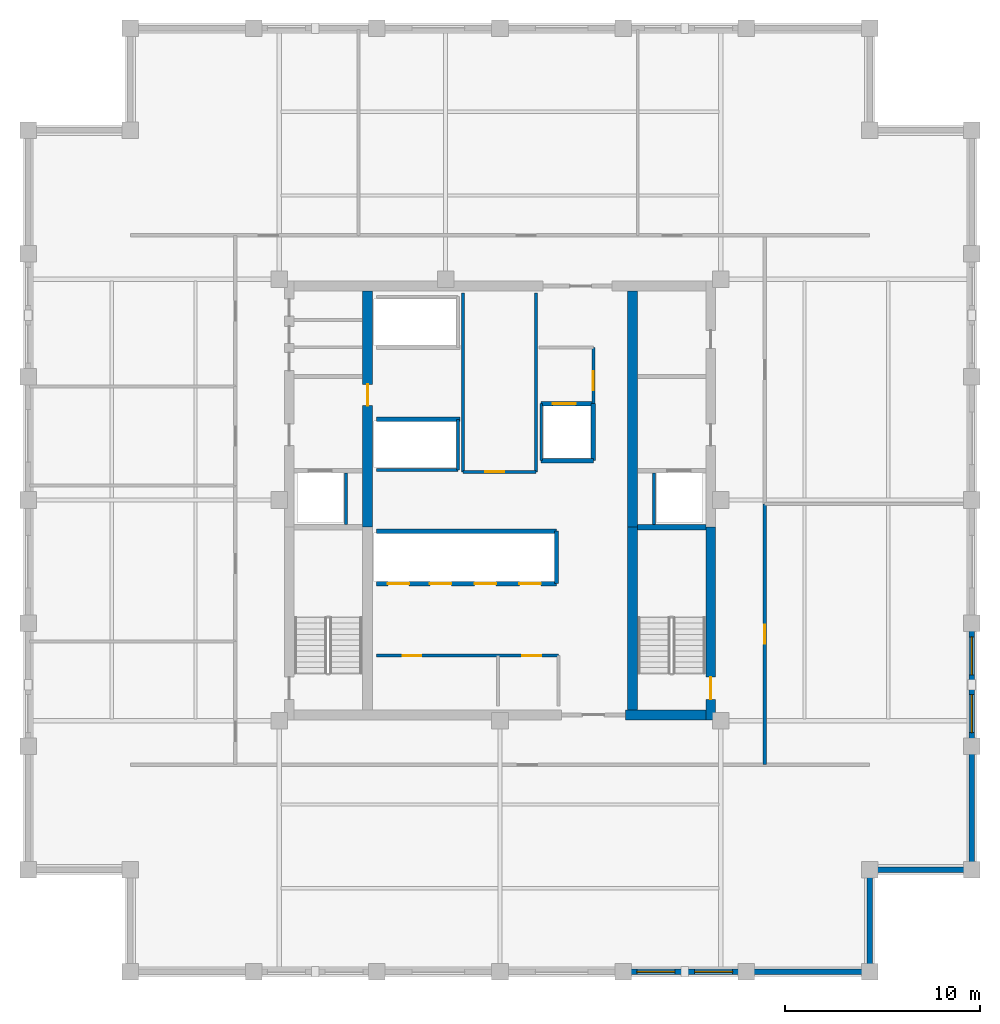
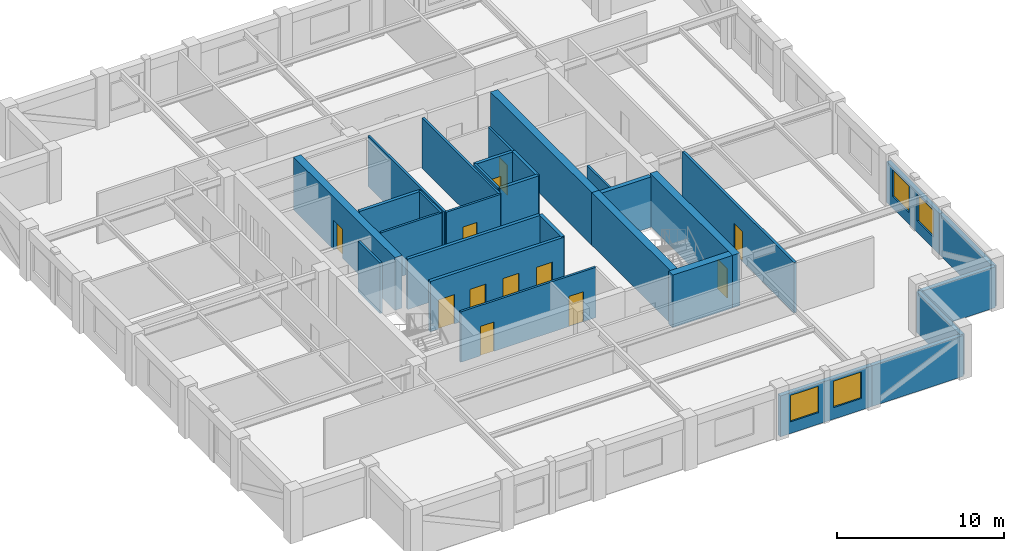
# One storey, part 3 of 6: 30 walls, 12 doors, 4 windows, 16 openings.
"""IFC4 building model written with IfcOpenShell, lengths in metres."""

from ifc_helpers import new_model, si_unit, direction, frame, frame_2d, origin, place, context, subcontext, project, spatial, rectangle, extrude, material, layer, layer_set, type_object, element, fill, save


model = new_model("IFC4")

# Units and contexts
model_context = context("Model", 3, precision=1e-05, world=origin(), true_north=direction((0.0, 1.0)))
body_context = subcontext(model_context, "Body", "Model", "MODEL_VIEW")
ifc_project = project(units=[si_unit("LENGTHUNIT", "METRE"), si_unit("AREAUNIT", "SQUARE_METRE"), si_unit("VOLUMEUNIT", "CUBIC_METRE"), si_unit("PLANEANGLEUNIT", "RADIAN"), si_unit("MASSUNIT", "GRAM", prefix="KILO")], contexts=[model_context])

# Site, building, storey
site_placement = place(None, origin())
site = spatial("IfcSite", under=ifc_project, at=site_placement, CompositionType="ELEMENT")
building_placement = place(site_placement, origin())
building = spatial("IfcBuilding", under=site, at=building_placement, Name="Nhamokura Convention Tower", CompositionType="ELEMENT")
storey_placement = place(building_placement, frame((0.0, 0.0, 194.60009765625)))
storey = spatial("IfcBuildingStorey", under=building, at=storey_placement, Name="L47", CompositionType="ELEMENT", Elevation=194.60009765625)

# Wall, openings, windows
ifc_material_1 = material(Name="Bronze-pigmented precast concrete C45/55", Category="concrete")
ifc_layer_1 = layer(ifc_material_1, 0.280029296875)
ifc_layer_set_1 = layer_set([ifc_layer_1], Name="BronzePrecastSpandrel_280")
wall_type_1 = type_object("IfcWallType", Name="BronzePrecastSpandrel_280", PredefinedType="USERDEFINED", material=ifc_layer_set_1)
wall_1_placement = place(storey_placement, frame((44.666748046875, 7.75, 0.0), z_axis=(0.0, 0.0, 1.0), x_axis=(-1.0, 0.0, 0.0)))
wall_1 = element("IfcWall", 1, at=wall_1_placement, inside=storey, type_object=wall_type_1, Name="L47 Masonry-Frame Wall SOUTH 4", ObjectType="SPANDREL_WALL", PredefinedType="USERDEFINED", context=body_context, shape_type="SweptSolid", body=[
    extrude(rectangle(XDim=6.33349609375, YDim=0.280029296875, at=frame_2d((3.166748046875, 0.0))), origin(), (0.0, 0.0, 1.0), 2.98486328125),
])
opening_1_placement = place(wall_1_placement, frame((0.708251953125, 0.0, 0.85009765625)))
opening_1 = element("IfcOpeningElement", 2, at=opening_1_placement, cuts=wall_1, Name="Opening W-08", PredefinedType="OPENING", context=body_context, shape_type="SweptSolid", body=[
    extrude(rectangle(XDim=1.949951171875, YDim=1.93505859375, at=frame_2d((0.97509765625, 0.967529296875))), frame((0.0, 0.14990234375, 0.0), z_axis=(0.0, -1.0, 0.0), x_axis=(1.0, 0.0, 0.0)), (0.0, 0.0, 1.0), 0.300048828125),
])
opening_2_placement = place(wall_1_placement, frame((3.675048828125, 0.0, 0.85009765625)))
opening_2 = element("IfcOpeningElement", 3, at=opening_2_placement, cuts=wall_1, Name="Opening W-08", PredefinedType="OPENING", context=body_context, shape_type="SweptSolid", body=[
    extrude(rectangle(XDim=1.949951171875, YDim=1.93505859375, at=frame_2d((0.97509765625, 0.967529296875))), frame((0.0, 0.14990234375, 0.0), z_axis=(0.0, -1.0, 0.0), x_axis=(1.0, 0.0, 0.0)), (0.0, 0.0, 1.0), 0.300048828125),
])
ifc_material_2 = material(Name="Solar-control bronze low-E double glass", Category="glass")
window_type = type_object("IfcWindowType", Name="OfficeModuleWindow_Z3_1950", PartitioningType="SINGLE_PANEL", PredefinedType="WINDOW", material=ifc_material_2)
window_1_placement = place(opening_1_placement, origin())
window_1 = element("IfcWindow", 4, at=window_1_placement, inside=storey, type_object=window_type, Name="L47 Facade Window SOUTH 4-1", OverallHeight=1.93505859375, OverallWidth=1.949951171875, PartitioningType="SINGLE_PANEL", PredefinedType="WINDOW", context=body_context, shape_type="SweptSolid", body=[
    extrude(rectangle(XDim=1.949951171875, YDim=1.93505859375, at=frame_2d((0.97509765625, 0.967529296875))), frame((0.0, 0.030029296875, 0.0), z_axis=(0.0, -1.0, 0.0), x_axis=(1.0, 0.0, 0.0)), (0.0, 0.0, 1.0), 0.06005859375),
])
fill(opening_1, window_1)
window_2_placement = place(opening_2_placement, origin())
window_2 = element("IfcWindow", 5, at=window_2_placement, inside=storey, type_object=window_type, Name="L47 Facade Window SOUTH 4-2", OverallHeight=1.93505859375, OverallWidth=1.949951171875, PartitioningType="SINGLE_PANEL", PredefinedType="WINDOW", context=body_context, shape_type="SweptSolid", body=[
    extrude(rectangle(XDim=1.949951171875, YDim=1.93505859375, at=frame_2d((0.97509765625, 0.967529296875))), frame((0.0, 0.030029296875, 0.0), z_axis=(0.0, -1.0, 0.0), x_axis=(1.0, 0.0, 0.0)), (0.0, 0.0, 1.0), 0.06005859375),
])
fill(opening_2, window_2)

# Walls
for number, where, z_axis, x_axis, name in (
    (6, (51.0, 7.75, 0.0), (0.0, 0.0, 1.0), (-1.0, 0.0, 0.0), "L47 Braced-Bay Precast Wall SOUTH 5"),
    (7, (56.25, 19.333251953125, 0.0), (0.0, 0.0, 1.0), (0.0, -1.0, 0.0), "L47 Braced-Bay Precast Wall EAST 0"),
):
    element("IfcWall", number, at=place(storey_placement, frame(where, z_axis=z_axis, x_axis=x_axis)), inside=storey, type_object=wall_type_1, Name=name, ObjectType="SPANDREL_WALL", PredefinedType="USERDEFINED", context=body_context, shape_type="SweptSolid", body=[
        extrude(rectangle(XDim=6.333251953125, YDim=0.280029296875, at=frame_2d((3.16650390625, 0.0))), origin(), (0.0, 0.0, 1.0), 2.98486328125),
    ])

# Wall, openings, windows
wall_2_placement = place(storey_placement, frame((56.25, 25.666748046875, 0.0), z_axis=(0.0, 0.0, 1.0), x_axis=(0.0, -1.0, 0.0)))
wall_2 = element("IfcWall", 8, at=wall_2_placement, inside=storey, type_object=wall_type_1, Name="L47 Masonry-Frame Wall EAST 1", ObjectType="SPANDREL_WALL", PredefinedType="USERDEFINED", context=body_context, shape_type="SweptSolid", body=[
    extrude(rectangle(XDim=6.33349609375, YDim=0.280029296875, at=frame_2d((3.166748046875, 0.0))), origin(), (0.0, 0.0, 1.0), 2.98486328125),
])
opening_3_placement = place(wall_2_placement, frame((0.708251953125, 0.0, 0.85009765625)))
opening_3 = element("IfcOpeningElement", 9, at=opening_3_placement, cuts=wall_2, Name="Opening W-08", PredefinedType="OPENING", context=body_context, shape_type="SweptSolid", body=[
    extrude(rectangle(XDim=1.949951171875, YDim=1.93505859375, at=frame_2d((0.97509765625, 0.967529296875))), frame((0.0, 0.14990234375, 0.0), z_axis=(0.0, -1.0, 0.0), x_axis=(1.0, 0.0, 0.0)), (0.0, 0.0, 1.0), 0.300048828125),
])
opening_4_placement = place(wall_2_placement, frame((3.675048828125, 0.0, 0.85009765625)))
opening_4 = element("IfcOpeningElement", 10, at=opening_4_placement, cuts=wall_2, Name="Opening W-08", PredefinedType="OPENING", context=body_context, shape_type="SweptSolid", body=[
    extrude(rectangle(XDim=1.949951171875, YDim=1.93505859375, at=frame_2d((0.97509765625, 0.967529296875))), frame((0.0, 0.14990234375, 0.0), z_axis=(0.0, -1.0, 0.0), x_axis=(1.0, 0.0, 0.0)), (0.0, 0.0, 1.0), 0.300048828125),
])
window_3_placement = place(opening_3_placement, origin())
window_3 = element("IfcWindow", 11, at=window_3_placement, inside=storey, type_object=window_type, Name="L47 Facade Window EAST 1-1", OverallHeight=1.93505859375, OverallWidth=1.949951171875, PartitioningType="SINGLE_PANEL", PredefinedType="WINDOW", context=body_context, shape_type="SweptSolid", body=[
    extrude(rectangle(XDim=1.949951171875, YDim=1.93505859375, at=frame_2d((0.97509765625, 0.967529296875))), frame((0.0, 0.030029296875, 0.0), z_axis=(0.0, -1.0, 0.0), x_axis=(1.0, 0.0, 0.0)), (0.0, 0.0, 1.0), 0.06005859375),
])
fill(opening_3, window_3)
window_4_placement = place(opening_4_placement, origin())
window_4 = element("IfcWindow", 12, at=window_4_placement, inside=storey, type_object=window_type, Name="L47 Facade Window EAST 1-2", OverallHeight=1.93505859375, OverallWidth=1.949951171875, PartitioningType="SINGLE_PANEL", PredefinedType="WINDOW", context=body_context, shape_type="SweptSolid", body=[
    extrude(rectangle(XDim=1.949951171875, YDim=1.93505859375, at=frame_2d((0.97509765625, 0.967529296875))), frame((0.0, 0.030029296875, 0.0), z_axis=(0.0, -1.0, 0.0), x_axis=(1.0, 0.0, 0.0)), (0.0, 0.0, 1.0), 0.06005859375),
])
fill(opening_4, window_4)

# Walls
for number, where, z_axis, x_axis, name in (
    (13, (51.0, 13.0, 0.0), (0.0, 0.0, 1.0), (0.0, -1.0, 0.0), "L47 Notched Corner Wall SE1"),
    (14, (56.25, 13.0, 0.0), (0.0, 0.0, 1.0), (-1.0, 0.0, 0.0), "L47 Notched Corner Wall SE2"),
):
    element("IfcWall", number, at=place(storey_placement, frame(where, z_axis=z_axis, x_axis=x_axis)), inside=storey, type_object=wall_type_1, Name=name, ObjectType="SPANDREL_WALL", PredefinedType="USERDEFINED", context=body_context, shape_type="SweptSolid", body=[
        extrude(rectangle(XDim=5.25, YDim=0.280029296875, at=frame_2d((2.625, 0.0))), origin(), (0.0, 0.0, 1.0), 2.98486328125),
    ])

# Wall, opening, door
ifc_material_3 = material(Name="Concrete C60/75", Category="concrete")
ifc_layer_2 = layer(ifc_material_3, 0.5)
ifc_layer_set_2 = layer_set([ifc_layer_2], Name="CoreShearWall_500")
wall_type_2 = type_object("IfcWallType", Name="CoreShearWall_500", PredefinedType="SHEAR", material=ifc_layer_set_2)
wall_3_placement = place(storey_placement, frame((42.840087890625, 20.699951171875, 0.0), z_axis=(0.0, 0.0, 1.0), x_axis=(0.0, 1.0, 0.0)))
wall_3 = element("IfcWall", 15, at=wall_3_placement, inside=storey, type_object=wall_type_2, Name="L47 Core Shear Wall CW-ES", PredefinedType="SHEAR", context=body_context, shape_type="SweptSolid", body=[
    extrude(rectangle(XDim=9.900146484375, YDim=0.5, at=frame_2d((4.9501953125, 0.0))), origin(), (0.0, 0.0, 1.0), 3.849853515625),
])
opening_5_placement = place(wall_3_placement, frame((1.050048828125, 0.0, 0.0)))
opening_5 = element("IfcOpeningElement", 16, at=opening_5_placement, cuts=wall_3, Name="Opening D-04", PredefinedType="OPENING", context=body_context, shape_type="SweptSolid", body=[
    extrude(rectangle(XDim=1.14990234375, YDim=2.14990234375, at=frame_2d((0.574951171875, 1.074951171875))), frame((0.0, 0.260009765625, 0.0), z_axis=(0.0, -1.0, 0.0), x_axis=(1.0, 0.0, 0.0)), (0.0, 0.0, 1.0), 0.52001953125),
])
ifc_material_4 = material(Name="Fire-rated steel door", Category="steel")
door_type_1 = type_object("IfcDoorType", Name="StairSmokeDoor_1150", OperationType="NOTDEFINED", PredefinedType="DOOR", material=ifc_material_4)
door_1_placement = place(opening_5_placement, origin())
door_1 = element("IfcDoor", 17, at=door_1_placement, inside=storey, type_object=door_type_1, Name="L47 Core Door INT-L47-D-ST02", OperationType="SINGLE_SWING_RIGHT", OverallHeight=2.14990234375, OverallWidth=1.14990234375, PredefinedType="DOOR", context=body_context, shape_type="SweptSolid", body=[
    extrude(rectangle(XDim=1.14990234375, YDim=2.14990234375, at=frame_2d((0.574951171875, 1.074951171875))), frame((0.0, 0.02490234375, 0.0), z_axis=(0.0, -1.0, 0.0), x_axis=(1.0, 0.0, 0.0)), (0.0, 0.0, 1.0), 0.050048828125),
])
fill(opening_5, door_1)

# Wall
wall_4_placement = place(storey_placement, frame((38.449951171875, 20.949951171875, 0.0), z_axis=(0.0, 0.0, 1.0), x_axis=(1.0, 0.0, 0.0)))
element("IfcWall", 18, at=wall_4_placement, inside=storey, type_object=wall_type_2, Name="L47 Core Shear Wall CW-S2", PredefinedType="SHEAR", context=body_context, shape_type="SweptSolid", body=[
    extrude(rectangle(XDim=4.14013671875, YDim=0.5, at=frame_2d((2.070068359375, 0.0))), origin(), (0.0, 0.0, 1.0), 3.849853515625),
])

# Wall, opening, door
wall_5_placement = place(storey_placement, frame((25.18994140625, 30.60009765625, 0.0), z_axis=(0.0, 0.0, 1.0), x_axis=(0.0, 1.0, 0.0)))
wall_5 = element("IfcWall", 19, at=wall_5_placement, inside=storey, type_object=wall_type_2, Name="L47 Core Shear Wall CW-IWN", PredefinedType="SHEAR", context=body_context, shape_type="SweptSolid", body=[
    extrude(rectangle(XDim=12.14990234375, YDim=0.5, at=frame_2d((6.074951171875, 0.0))), origin(), (0.0, 0.0, 1.0), 3.849853515625),
])
opening_6_placement = place(wall_5_placement, frame((6.25, 0.0, 0.0)))
opening_6 = element("IfcOpeningElement", 20, at=opening_6_placement, cuts=wall_5, Name="Opening D-05", PredefinedType="OPENING", context=body_context, shape_type="SweptSolid", body=[
    extrude(rectangle(XDim=1.10009765625, YDim=2.14990234375, at=frame_2d((0.550048828125, 1.074951171875))), frame((0.0, 0.260009765625, 0.0), z_axis=(0.0, -1.0, 0.0), x_axis=(1.0, 0.0, 0.0)), (0.0, 0.0, 1.0), 0.52001953125),
])
ifc_material_5 = material(Name="Fire-rated steel door", Category="steel")
door_type_2 = type_object("IfcDoorType", Name="FireLobbyDoor_1100", OperationType="NOTDEFINED", PredefinedType="DOOR", material=ifc_material_5)
door_2_placement = place(opening_6_placement, origin())
door_2 = element("IfcDoor", 21, at=door_2_placement, inside=storey, type_object=door_type_2, Name="L47 Core Door INT-L47-D-B3LOB", OperationType="SINGLE_SWING_LEFT", OverallHeight=2.14990234375, OverallWidth=1.10009765625, PredefinedType="DOOR", context=body_context, shape_type="SweptSolid", body=[
    extrude(rectangle(XDim=1.10009765625, YDim=2.14990234375, at=frame_2d((0.550048828125, 1.074951171875))), frame((0.0, 0.02490234375, 0.0), z_axis=(0.0, -1.0, 0.0), x_axis=(1.0, 0.0, 0.0)), (0.0, 0.0, 1.0), 0.050048828125),
])
fill(opening_6, door_2)

# Walls
wall_6_placement = place(storey_placement, frame((38.81005859375, 21.199951171875, 0.0), z_axis=(0.0, 0.0, 1.0), x_axis=(0.0, 1.0, 0.0)))
element("IfcWall", 22, at=wall_6_placement, inside=storey, type_object=wall_type_2, Name="L47 Core Shear Wall CW-IES", PredefinedType="SHEAR", context=body_context, shape_type="SweptSolid", body=[
    extrude(rectangle(XDim=9.400146484375, YDim=0.5, at=frame_2d((4.7001953125, 0.0))), origin(), (0.0, 0.0, 1.0), 3.849853515625),
])
wall_7_placement = place(storey_placement, frame((38.81005859375, 30.60009765625, 0.0), z_axis=(0.0, 0.0, 1.0), x_axis=(0.0, 1.0, 0.0)))
element("IfcWall", 23, at=wall_7_placement, inside=storey, type_object=wall_type_2, Name="L47 Core Shear Wall CW-IEN", PredefinedType="SHEAR", context=body_context, shape_type="SweptSolid", body=[
    extrude(rectangle(XDim=12.14990234375, YDim=0.5, at=frame_2d((6.074951171875, 0.0))), origin(), (0.0, 0.0, 1.0), 3.849853515625),
])

# Wall, opening, door
ifc_material_6 = material(Name="Fire-rated gypsum and masonry partition", Category="masonry")
ifc_layer_3 = layer(ifc_material_6, 0.179931640625)
ifc_layer_set_3 = layer_set([ifc_layer_3], Name="CorridorRatedWall_180")
wall_type_3 = type_object("IfcWallType", Name="CorridorRatedWall_180", PredefinedType="STANDARD", material=ifc_layer_set_3)
wall_8_placement = place(storey_placement, frame((45.60009765625, 18.39990234375, 0.0), z_axis=(0.0, 0.0, 1.0), x_axis=(0.0, 1.0, 0.0)))
wall_8 = element("IfcWall", 24, at=wall_8_placement, inside=storey, type_object=wall_type_3, Name="L47 Wall INT-L47-CW-E00", PredefinedType="STANDARD", context=body_context, shape_type="SweptSolid", body=[
    extrude(rectangle(XDim=13.400146484375, YDim=0.179931640625, at=frame_2d((6.7001953125, 0.0))), origin(), (0.0, 0.0, 1.0), 3.684814453125),
])
opening_7_placement = place(wall_8_placement, frame((6.199951171875, 0.0, 0.0)))
opening_7 = element("IfcOpeningElement", 25, at=opening_7_placement, cuts=wall_8, Name="Opening D-08", PredefinedType="OPENING", context=body_context, shape_type="SweptSolid", body=[
    extrude(rectangle(XDim=0.97998046875, YDim=2.199951171875, at=frame_2d((0.489990234375, 1.10009765625))), frame((0.0, 0.099853515625, 0.0), z_axis=(0.0, -1.0, 0.0), x_axis=(1.0, 0.0, 0.0)), (0.0, 0.0, 1.0), 0.199951171875),
])
ifc_material_7 = material(Name="Solid oak hardwood", Category="wood")
door_type_3 = type_object("IfcDoorType", Name="OfficeEntryDoor_980", OperationType="NOTDEFINED", PredefinedType="DOOR", material=ifc_material_7)
door_3_placement = place(opening_7_placement, origin())
door_3 = element("IfcDoor", 26, at=door_3_placement, inside=storey, type_object=door_type_3, Name="L47 Staff Lounge E01 Door", OperationType="SINGLE_SWING_LEFT", OverallHeight=2.199951171875, OverallWidth=0.97998046875, PredefinedType="DOOR", context=body_context, shape_type="SweptSolid", body=[
    extrude(rectangle(XDim=0.97998046875, YDim=2.199951171875, at=frame_2d((0.489990234375, 1.10009765625))), frame((0.0, 0.02490234375, 0.0), z_axis=(0.0, -1.0, 0.0), x_axis=(1.0, 0.0, 0.0)), (0.0, 0.0, 1.0), 0.050048828125),
])
fill(opening_7, door_3)

# Wall, openings, doors
ifc_material_8 = material(Name="Autoclaved concrete blockwork", Category="masonry")
ifc_layer_4 = layer(ifc_material_8, 0.219970703125)
ifc_layer_set_4 = layer_set([ifc_layer_4], Name="FireLobbyWall_220")
wall_type_4 = type_object("IfcWallType", Name="FireLobbyWall_220", PredefinedType="STANDARD", material=ifc_layer_set_4)
wall_9_placement = place(storey_placement, frame((25.64990234375, 27.699951171875, 0.0), z_axis=(0.0, 0.0, 1.0), x_axis=(1.0, 0.0, 0.0)))
wall_9 = element("IfcWall", 27, at=wall_9_placement, inside=storey, type_object=wall_type_4, Name="L47 Wall INT-L47-B2S", PredefinedType="STANDARD", context=body_context, shape_type="SweptSolid", body=[
    extrude(rectangle(XDim=9.25, YDim=0.219970703125, at=frame_2d((4.625, 0.0))), origin(), (0.0, 0.0, 1.0), 3.684814453125),
])
opening_8_placement = place(wall_9_placement, frame((0.580078125, 0.0, 0.0)))
opening_8 = element("IfcOpeningElement", 28, at=opening_8_placement, cuts=wall_9, Name="Opening LD-01", PredefinedType="OPENING", context=body_context, shape_type="SweptSolid", body=[
    extrude(rectangle(XDim=1.10009765625, YDim=2.14990234375, at=frame_2d((0.550048828125, 1.074951171875))), frame((0.0, 0.119873046875, 0.0), z_axis=(0.0, -1.0, 0.0), x_axis=(1.0, 0.0, 0.0)), (0.0, 0.0, 1.0), 0.239990234375),
])
opening_9_placement = place(wall_9_placement, frame((2.75, 0.0, 0.0)))
opening_9 = element("IfcOpeningElement", 29, at=opening_9_placement, cuts=wall_9, Name="Opening LD-01", PredefinedType="OPENING", context=body_context, shape_type="SweptSolid", body=[
    extrude(rectangle(XDim=1.10009765625, YDim=2.14990234375, at=frame_2d((0.550048828125, 1.074951171875))), frame((0.0, 0.119873046875, 0.0), z_axis=(0.0, -1.0, 0.0), x_axis=(1.0, 0.0, 0.0)), (0.0, 0.0, 1.0), 0.239990234375),
])
opening_10_placement = place(wall_9_placement, frame((5.050048828125, 0.0, 0.0)))
opening_10 = element("IfcOpeningElement", 30, at=opening_10_placement, cuts=wall_9, Name="Opening LD-01", PredefinedType="OPENING", context=body_context, shape_type="SweptSolid", body=[
    extrude(rectangle(XDim=1.10009765625, YDim=2.14990234375, at=frame_2d((0.550048828125, 1.074951171875))), frame((0.0, 0.119873046875, 0.0), z_axis=(0.0, -1.0, 0.0), x_axis=(1.0, 0.0, 0.0)), (0.0, 0.0, 1.0), 0.239990234375),
])
opening_11_placement = place(wall_9_placement, frame((7.35009765625, 0.0, 0.0)))
opening_11 = element("IfcOpeningElement", 31, at=opening_11_placement, cuts=wall_9, Name="Opening LD-01", PredefinedType="OPENING", context=body_context, shape_type="SweptSolid", body=[
    extrude(rectangle(XDim=1.10009765625, YDim=2.14990234375, at=frame_2d((0.550048828125, 1.074951171875))), frame((0.0, 0.119873046875, 0.0), z_axis=(0.0, -1.0, 0.0), x_axis=(1.0, 0.0, 0.0)), (0.0, 0.0, 1.0), 0.239990234375),
])
ifc_material_9 = material(Name="Anodised bronze stainless steel", Category="steel")
door_type_4 = type_object("IfcDoorType", Name="LiftLandingDoor_Passenger", OperationType="DOUBLE_DOOR_SLIDING", PredefinedType="DOOR", material=ifc_material_9)
door_4_placement = place(opening_8_placement, origin())
door_4 = element("IfcDoor", 32, at=door_4_placement, inside=storey, type_object=door_type_4, Name="L47 Lift LP-05 Landing Door", OperationType="DOUBLE_DOOR_SLIDING", OverallHeight=2.14990234375, OverallWidth=1.10009765625, PredefinedType="DOOR", context=body_context, shape_type="SweptSolid", body=[
    extrude(rectangle(XDim=1.10009765625, YDim=2.14990234375, at=frame_2d((0.550048828125, 1.074951171875))), frame((0.0, 0.02490234375, 0.0), z_axis=(0.0, -1.0, 0.0), x_axis=(1.0, 0.0, 0.0)), (0.0, 0.0, 1.0), 0.050048828125),
])
fill(opening_8, door_4)
door_5_placement = place(opening_9_placement, origin())
door_5 = element("IfcDoor", 33, at=door_5_placement, inside=storey, type_object=door_type_4, Name="L47 Lift LP-06 Landing Door", OperationType="DOUBLE_DOOR_SLIDING", OverallHeight=2.14990234375, OverallWidth=1.10009765625, PredefinedType="DOOR", context=body_context, shape_type="SweptSolid", body=[
    extrude(rectangle(XDim=1.10009765625, YDim=2.14990234375, at=frame_2d((0.550048828125, 1.074951171875))), frame((0.0, 0.02490234375, 0.0), z_axis=(0.0, -1.0, 0.0), x_axis=(1.0, 0.0, 0.0)), (0.0, 0.0, 1.0), 0.050048828125),
])
fill(opening_9, door_5)
door_6_placement = place(opening_10_placement, origin())
door_6 = element("IfcDoor", 34, at=door_6_placement, inside=storey, type_object=door_type_4, Name="L47 Lift LP-07 Landing Door", OperationType="DOUBLE_DOOR_SLIDING", OverallHeight=2.14990234375, OverallWidth=1.10009765625, PredefinedType="DOOR", context=body_context, shape_type="SweptSolid", body=[
    extrude(rectangle(XDim=1.10009765625, YDim=2.14990234375, at=frame_2d((0.550048828125, 1.074951171875))), frame((0.0, 0.02490234375, 0.0), z_axis=(0.0, -1.0, 0.0), x_axis=(1.0, 0.0, 0.0)), (0.0, 0.0, 1.0), 0.050048828125),
])
fill(opening_10, door_6)
door_7_placement = place(opening_11_placement, origin())
door_7 = element("IfcDoor", 35, at=door_7_placement, inside=storey, type_object=door_type_4, Name="L47 Lift LP-08 Landing Door", OperationType="DOUBLE_DOOR_SLIDING", OverallHeight=2.14990234375, OverallWidth=1.10009765625, PredefinedType="DOOR", context=body_context, shape_type="SweptSolid", body=[
    extrude(rectangle(XDim=1.10009765625, YDim=2.14990234375, at=frame_2d((0.550048828125, 1.074951171875))), frame((0.0, 0.02490234375, 0.0), z_axis=(0.0, -1.0, 0.0), x_axis=(1.0, 0.0, 0.0)), (0.0, 0.0, 1.0), 0.050048828125),
])
fill(opening_11, door_7)

# Walls
wall_10_placement = place(storey_placement, frame((25.64990234375, 30.39990234375, 0.0), z_axis=(0.0, 0.0, 1.0), x_axis=(1.0, 0.0, 0.0)))
element("IfcWall", 36, at=wall_10_placement, inside=storey, type_object=wall_type_4, Name="L47 Wall INT-L47-B2N", PredefinedType="STANDARD", context=body_context, shape_type="SweptSolid", body=[
    extrude(rectangle(XDim=9.25, YDim=0.219970703125, at=frame_2d((4.625, 0.0))), origin(), (0.0, 0.0, 1.0), 3.684814453125),
])
wall_11_placement = place(storey_placement, frame((34.89990234375, 27.699951171875, 0.0), z_axis=(0.0, 0.0, 1.0), x_axis=(0.0, 1.0, 0.0)))
element("IfcWall", 37, at=wall_11_placement, inside=storey, type_object=wall_type_4, Name="L47 Wall INT-L47-B2E", PredefinedType="STANDARD", context=body_context, shape_type="SweptSolid", body=[
    extrude(rectangle(XDim=2.699951171875, YDim=0.219970703125, at=frame_2d((1.35009765625, 0.0))), origin(), (0.0, 0.0, 1.0), 3.684814453125),
])
wall_12_placement = place(storey_placement, frame((25.64990234375, 36.14990234375, 0.0), z_axis=(0.0, 0.0, 1.0), x_axis=(1.0, 0.0, 0.0)))
element("IfcWall", 38, at=wall_12_placement, inside=storey, type_object=wall_type_4, Name="L47 Wall INT-L47-B3S", PredefinedType="STANDARD", context=body_context, shape_type="SweptSolid", body=[
    extrude(rectangle(XDim=4.300048828125, YDim=0.219970703125, at=frame_2d((2.14990234375, 0.0))), origin(), (0.0, 0.0, 1.0), 3.684814453125),
])

# Wall, opening, door
wall_13_placement = place(storey_placement, frame((34.1201171875, 36.949951171875, 0.0), z_axis=(0.0, 0.0, 1.0), x_axis=(1.0, 0.0, 0.0)))
wall_13 = element("IfcWall", 39, at=wall_13_placement, inside=storey, type_object=wall_type_4, Name="L47 Wall INT-L47-LSN", PredefinedType="STANDARD", context=body_context, shape_type="SweptSolid", body=[
    extrude(rectangle(XDim=2.679931640625, YDim=0.219970703125, at=frame_2d((1.33984375, 0.0))), origin(), (0.0, 0.0, 1.0), 3.684814453125),
])
opening_12_placement = place(wall_13_placement, frame((0.580078125, 0.0, 0.0)))
opening_12 = element("IfcOpeningElement", 40, at=opening_12_placement, cuts=wall_13, Name="Opening LD-02", PredefinedType="OPENING", context=body_context, shape_type="SweptSolid", body=[
    extrude(rectangle(XDim=1.199951171875, YDim=2.199951171875, at=frame_2d((0.60009765625, 1.10009765625))), frame((0.0, 0.119873046875, 0.0), z_axis=(0.0, -1.0, 0.0), x_axis=(1.0, 0.0, 0.0)), (0.0, 0.0, 1.0), 0.239990234375),
])
ifc_material_10 = material(Name="Anodised bronze stainless steel", Category="steel")
door_type_5 = type_object("IfcDoorType", Name="LiftLandingDoor_FireService", OperationType="DOUBLE_DOOR_SLIDING", PredefinedType="DOOR", material=ifc_material_10)
door_8_placement = place(opening_12_placement, origin())
door_8 = element("IfcDoor", 41, at=door_8_placement, inside=storey, type_object=door_type_5, Name="L47 Service Lift LS-01 Door", OperationType="DOUBLE_DOOR_SLIDING", OverallHeight=2.199951171875, OverallWidth=1.199951171875, PredefinedType="DOOR", context=body_context, shape_type="SweptSolid", body=[
    extrude(rectangle(XDim=1.199951171875, YDim=2.199951171875, at=frame_2d((0.60009765625, 1.10009765625))), frame((0.0, 0.02490234375, 0.0), z_axis=(0.0, -1.0, 0.0), x_axis=(1.0, 0.0, 0.0)), (0.0, 0.0, 1.0), 0.050048828125),
])
fill(opening_12, door_8)

# Walls
wall_14_placement = place(storey_placement, frame((36.800048828125, 34.02001953125, 0.0), z_axis=(0.0, 0.0, 1.0), x_axis=(0.0, 1.0, 0.0)))
element("IfcWall", 42, at=wall_14_placement, inside=storey, type_object=wall_type_4, Name="L47 Wall INT-L47-LSE", PredefinedType="STANDARD", context=body_context, shape_type="SweptSolid", body=[
    extrude(rectangle(XDim=2.929931640625, YDim=0.219970703125, at=frame_2d((1.46484375, 0.0))), origin(), (0.0, 0.0, 1.0), 3.684814453125),
])
wall_15_placement = place(storey_placement, frame((34.1201171875, 34.02001953125, 0.0), z_axis=(0.0, 0.0, 1.0), x_axis=(1.0, 0.0, 0.0)))
element("IfcWall", 43, at=wall_15_placement, inside=storey, type_object=wall_type_4, Name="L47 Wall INT-L47-LSS", PredefinedType="STANDARD", context=body_context, shape_type="SweptSolid", body=[
    extrude(rectangle(XDim=2.679931640625, YDim=0.219970703125, at=frame_2d((1.33984375, 0.0))), origin(), (0.0, 0.0, 1.0), 3.684814453125),
])
ifc_material_11 = material(Name="Acoustic gypsum stud partition", Category="masonry")
ifc_layer_5 = layer(ifc_material_11, 0.14990234375)
ifc_layer_set_5 = layer_set([ifc_layer_5], Name="InteriorPartition_150")
wall_type_5 = type_object("IfcWallType", Name="InteriorPartition_150", PredefinedType="STANDARD", material=ifc_layer_set_5)
for number, where, z_axis, x_axis, name in (
    (44, (24.080078125, 30.75, 0.0), (0.0, 0.0, 1.0), (0.0, 1.0, 0.0), "L47 Wall INT-L47-FF1-E"),
    (45, (39.919921875, 30.75, 0.0), (0.0, 0.0, 1.0), (0.0, 1.0, 0.0), "L47 Wall INT-L47-FF2-W"),
):
    element("IfcWall", number, at=place(storey_placement, frame(where, z_axis=z_axis, x_axis=x_axis)), inside=storey, type_object=wall_type_5, Name=name, PredefinedType="STANDARD", context=body_context, shape_type="SweptSolid", body=[
        extrude(rectangle(XDim=2.64990234375, YDim=0.14990234375, at=frame_2d((1.324951171875, 0.0))), origin(), (0.0, 0.0, 1.0), 3.684814453125),
    ])

# Wall, opening, door
wall_16_placement = place(storey_placement, frame((36.800048828125, 36.949951171875, 0.0), z_axis=(0.0, 0.0, 1.0), x_axis=(0.0, 1.0, 0.0)))
wall_16 = element("IfcWall", 46, at=wall_16_placement, inside=storey, type_object=wall_type_5, Name="L47 Wall INT-L47-NE-TELE", PredefinedType="STANDARD", context=body_context, shape_type="SweptSolid", body=[
    extrude(rectangle(XDim=2.900146484375, YDim=0.14990234375, at=frame_2d((1.4501953125, 0.0))), origin(), (0.0, 0.0, 1.0), 3.684814453125),
])
opening_13_placement = place(wall_16_placement, frame((0.699951171875, 0.0, 0.0)))
opening_13 = element("IfcOpeningElement", 47, at=opening_13_placement, cuts=wall_16, Name="Opening D-08", PredefinedType="OPENING", context=body_context, shape_type="SweptSolid", body=[
    extrude(rectangle(XDim=0.97998046875, YDim=2.199951171875, at=frame_2d((0.489990234375, 1.10009765625))), frame((0.0, 0.0849609375, 0.0), z_axis=(0.0, -1.0, 0.0), x_axis=(1.0, 0.0, 0.0)), (0.0, 0.0, 1.0), 0.169921875),
])
door_9_placement = place(opening_13_placement, origin())
door_9 = element("IfcDoor", 48, at=door_9_placement, inside=storey, type_object=door_type_3, Name="L47 Core Telecom Door", OperationType="SINGLE_SWING_LEFT", OverallHeight=2.199951171875, OverallWidth=0.97998046875, PredefinedType="DOOR", context=body_context, shape_type="SweptSolid", body=[
    extrude(rectangle(XDim=0.97998046875, YDim=2.199951171875, at=frame_2d((0.489990234375, 1.10009765625))), frame((0.0, 0.02490234375, 0.0), z_axis=(0.0, -1.0, 0.0), x_axis=(1.0, 0.0, 0.0)), (0.0, 0.0, 1.0), 0.050048828125),
])
fill(opening_13, door_9)

# Wall, openings, doors
wall_17_placement = place(storey_placement, frame((25.64990234375, 24.0, 0.0), z_axis=(0.0, 0.0, 1.0), x_axis=(1.0, 0.0, 0.0)))
wall_17 = element("IfcWall", 49, at=wall_17_placement, inside=storey, type_object=wall_type_5, Name="L47 Wall INT-L47-B1R-N", PredefinedType="STANDARD", context=body_context, shape_type="SweptSolid", body=[
    extrude(rectangle(XDim=9.35009765625, YDim=0.14990234375, at=frame_2d((4.675048828125, 0.0))), origin(), (0.0, 0.0, 1.0), 3.684814453125),
])
opening_14_placement = place(wall_17_placement, frame((1.35009765625, 0.0, 0.0)))
opening_14 = element("IfcOpeningElement", 50, at=opening_14_placement, cuts=wall_17, Name="Opening D-09", PredefinedType="OPENING", context=body_context, shape_type="SweptSolid", body=[
    extrude(rectangle(XDim=0.949951171875, YDim=2.14990234375, at=frame_2d((0.47509765625, 1.074951171875))), frame((0.0, 0.0849609375, 0.0), z_axis=(0.0, -1.0, 0.0), x_axis=(1.0, 0.0, 0.0)), (0.0, 0.0, 1.0), 0.169921875),
])
opening_15_placement = place(wall_17_placement, frame((7.5, 0.0, 0.0)))
opening_15 = element("IfcOpeningElement", 51, at=opening_15_placement, cuts=wall_17, Name="Opening D-08", PredefinedType="OPENING", context=body_context, shape_type="SweptSolid", body=[
    extrude(rectangle(XDim=0.97998046875, YDim=2.199951171875, at=frame_2d((0.489990234375, 1.10009765625))), frame((0.0, 0.0849609375, 0.0), z_axis=(0.0, -1.0, 0.0), x_axis=(1.0, 0.0, 0.0)), (0.0, 0.0, 1.0), 0.169921875),
])
ifc_material_12 = material(Name="Solid oak hardwood", Category="wood")
door_type_6 = type_object("IfcDoorType", Name="MeetingRoomDoor_950", OperationType="NOTDEFINED", PredefinedType="DOOR", material=ifc_material_12)
door_10_placement = place(opening_14_placement, origin())
door_10 = element("IfcDoor", 52, at=door_10_placement, inside=storey, type_object=door_type_6, Name="L47 Reclaimed Briefing Room Door", OperationType="SINGLE_SWING_RIGHT", OverallHeight=2.14990234375, OverallWidth=0.949951171875, PredefinedType="DOOR", context=body_context, shape_type="SweptSolid", body=[
    extrude(rectangle(XDim=0.949951171875, YDim=2.14990234375, at=frame_2d((0.47509765625, 1.074951171875))), frame((0.0, 0.02490234375, 0.0), z_axis=(0.0, -1.0, 0.0), x_axis=(1.0, 0.0, 0.0)), (0.0, 0.0, 1.0), 0.050048828125),
])
fill(opening_14, door_10)
door_11_placement = place(opening_15_placement, origin())
door_11 = element("IfcDoor", 53, at=door_11_placement, inside=storey, type_object=door_type_3, Name="L47 Reclaimed Hub Door", OperationType="SINGLE_SWING_LEFT", OverallHeight=2.199951171875, OverallWidth=0.97998046875, PredefinedType="DOOR", context=body_context, shape_type="SweptSolid", body=[
    extrude(rectangle(XDim=0.97998046875, YDim=2.199951171875, at=frame_2d((0.489990234375, 1.10009765625))), frame((0.0, 0.02490234375, 0.0), z_axis=(0.0, -1.0, 0.0), x_axis=(1.0, 0.0, 0.0)), (0.0, 0.0, 1.0), 0.050048828125),
])
fill(opening_15, door_11)

# Walls
wall_18_placement = place(storey_placement, frame((25.64990234375, 33.550048828125, 0.0), z_axis=(0.0, 0.0, 1.0), x_axis=(1.0, 0.0, 0.0)))
element("IfcWall", 54, at=wall_18_placement, inside=storey, type_object=wall_type_5, Name="L47 Wall INT-L47-B3A-S", PredefinedType="STANDARD", context=body_context, shape_type="SweptSolid", body=[
    extrude(rectangle(XDim=4.2001953125, YDim=0.14990234375, at=frame_2d((2.10009765625, 0.0))), origin(), (0.0, 0.0, 1.0), 3.684814453125),
])
wall_19_placement = place(storey_placement, frame((29.85009765625, 33.550048828125, 0.0), z_axis=(0.0, 0.0, 1.0), x_axis=(0.0, 1.0, 0.0)))
element("IfcWall", 55, at=wall_19_placement, inside=storey, type_object=wall_type_5, Name="L47 Wall INT-L47-B3A-E", PredefinedType="STANDARD", context=body_context, shape_type="SweptSolid", body=[
    extrude(rectangle(XDim=2.599853515625, YDim=0.14990234375, at=frame_2d((1.2998046875, 0.0))), origin(), (0.0, 0.0, 1.0), 3.684814453125),
])
for number, where, z_axis, x_axis, name in (
    (56, (30.10009765625, 33.449951171875, 0.0), (0.0, 0.0, 1.0), (0.0, 1.0, 0.0), "L47 Wall INT-L47-ST03W"),
    (57, (33.85009765625, 33.449951171875, 0.0), (0.0, 0.0, 1.0), (0.0, 1.0, 0.0), "L47 Wall INT-L47-ST03E"),
):
    element("IfcWall", number, at=place(storey_placement, frame(where, z_axis=z_axis, x_axis=x_axis)), inside=storey, type_object=wall_type_5, Name=name, PredefinedType="STANDARD", context=body_context, shape_type="SweptSolid", body=[
        extrude(rectangle(XDim=9.199951171875, YDim=0.14990234375, at=frame_2d((4.60009765625, 0.0))), origin(), (0.0, 0.0, 1.0), 3.684814453125),
    ])

# Wall, opening, door
wall_20_placement = place(storey_placement, frame((30.10009765625, 33.449951171875, 0.0), z_axis=(0.0, 0.0, 1.0), x_axis=(1.0, 0.0, 0.0)))
wall_20 = element("IfcWall", 58, at=wall_20_placement, inside=storey, type_object=wall_type_5, Name="L47 Wall INT-L47-ST03S", PredefinedType="STANDARD", context=body_context, shape_type="SweptSolid", body=[
    extrude(rectangle(XDim=3.75, YDim=0.14990234375, at=frame_2d((1.875, 0.0))), origin(), (0.0, 0.0, 1.0), 3.684814453125),
])
opening_16_placement = place(wall_20_placement, frame((1.14990234375, 0.0, 0.0)))
opening_16 = element("IfcOpeningElement", 59, at=opening_16_placement, cuts=wall_20, Name="Opening D-08", PredefinedType="OPENING", context=body_context, shape_type="SweptSolid", body=[
    extrude(rectangle(XDim=0.97998046875, YDim=2.199951171875, at=frame_2d((0.489990234375, 1.10009765625))), frame((0.0, 0.0849609375, 0.0), z_axis=(0.0, -1.0, 0.0), x_axis=(1.0, 0.0, 0.0)), (0.0, 0.0, 1.0), 0.169921875),
])
door_12_placement = place(opening_16_placement, origin())
door_12 = element("IfcDoor", 60, at=door_12_placement, inside=storey, type_object=door_type_3, Name="L47 Wellness and Records Room Door", OperationType="SINGLE_SWING_RIGHT", OverallHeight=2.199951171875, OverallWidth=0.97998046875, PredefinedType="DOOR", context=body_context, shape_type="SweptSolid", body=[
    extrude(rectangle(XDim=0.97998046875, YDim=2.199951171875, at=frame_2d((0.489990234375, 1.10009765625))), frame((0.0, 0.02490234375, 0.0), z_axis=(0.0, -1.0, 0.0), x_axis=(1.0, 0.0, 0.0)), (0.0, 0.0, 1.0), 0.050048828125),
])
fill(opening_16, door_12)

# Walls
wall_21_placement = place(storey_placement, frame((34.1201171875, 34.02001953125, 0.0), z_axis=(0.0, 0.0, 1.0), x_axis=(0.0, 1.0, 0.0)))
element("IfcWall", 61, at=wall_21_placement, inside=storey, type_object=wall_type_5, Name="L47 Wall INT-L47-LSW", PredefinedType="STANDARD", context=body_context, shape_type="SweptSolid", body=[
    extrude(rectangle(XDim=2.929931640625, YDim=0.14990234375, at=frame_2d((1.46484375, 0.0))), origin(), (0.0, 0.0, 1.0), 3.684814453125),
])
ifc_material_13 = material(Name="Concrete C50/60", Category="concrete")
ifc_layer_6 = layer(ifc_material_13, 0.300048828125)
ifc_layer_set_6 = layer_set([ifc_layer_6], Name="ShaftEnclosureWall_300")
wall_type_6 = type_object("IfcWallType", Name="ShaftEnclosureWall_300", PredefinedType="SHEAR", material=ifc_layer_set_6)
wall_22_placement = place(storey_placement, frame((39.06005859375, 30.60009765625, 0.0), z_axis=(0.0, 0.0, 1.0), x_axis=(1.0, 0.0, 0.0)))
element("IfcWall", 62, at=wall_22_placement, inside=storey, type_object=wall_type_6, Name="L47 Wall INT-L47-ST02-N", PredefinedType="SHEAR", context=body_context, shape_type="SweptSolid", body=[
    extrude(rectangle(XDim=3.530029296875, YDim=0.300048828125, at=frame_2d((1.76513671875, 0.0))), origin(), (0.0, 0.0, 1.0), 3.684814453125),
])

save(model, "model.ifc")
